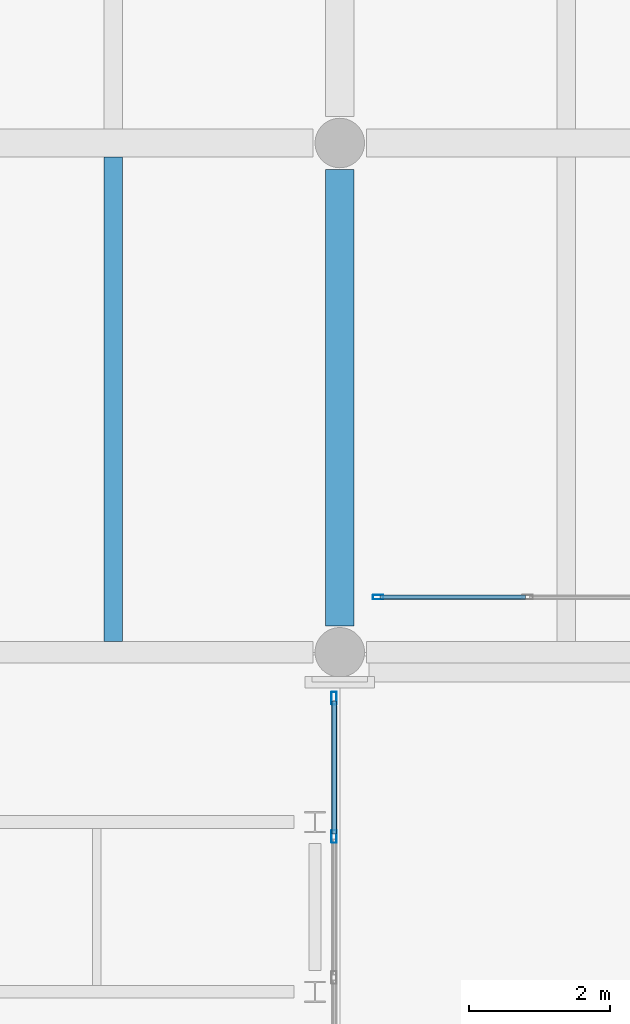
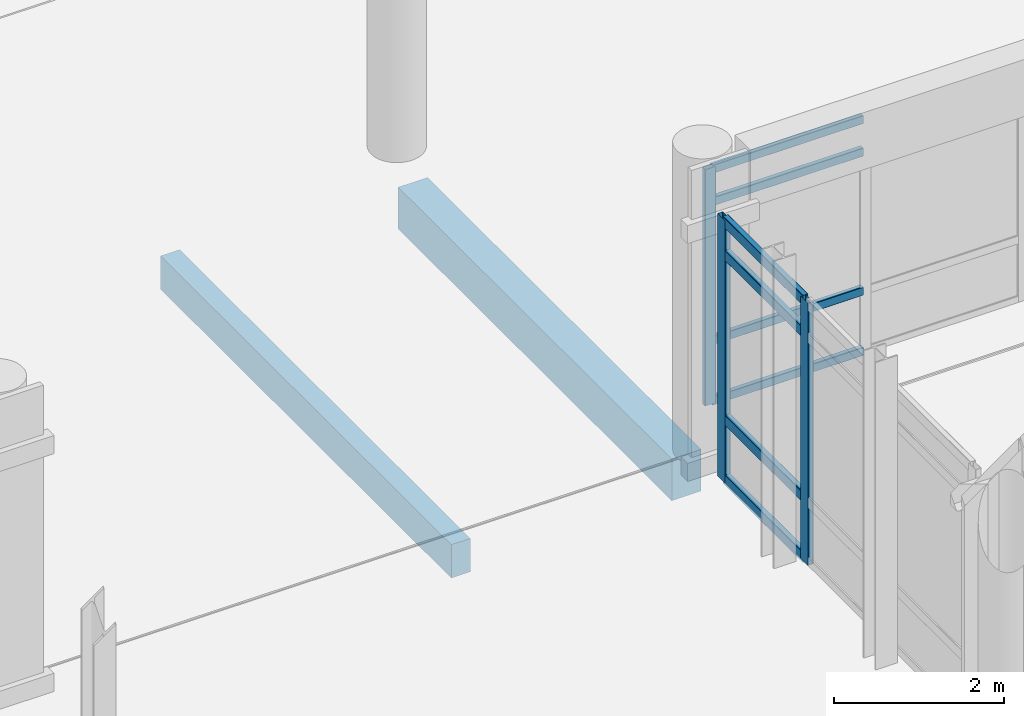
# One storey, part 50 of 196: 11 members, 2 beams, 2 elements without a shape of their own.
"""IFC4 building model written with IfcOpenShell, lengths in metres."""

from ifc_helpers import new_model, si_unit, direction, frame, origin, origin_2d, place, context, subcontext, project, spatial, rectangle, hollow_rectangle, extrude, material, layer, layer_set, material_profile, profile_set, type_object, element, aggregate, save


model = new_model("IFC4")

# Units and contexts
model_context = context("Model", 3, precision=1e-05, world=origin(), true_north=direction((0.0, 1.0)))
body_context = subcontext(model_context, "Body", "Model", "MODEL_VIEW")
ifc_project = project(units=[si_unit("LENGTHUNIT", "METRE"), si_unit("AREAUNIT", "SQUARE_METRE"), si_unit("VOLUMEUNIT", "CUBIC_METRE"), si_unit("PLANEANGLEUNIT", "RADIAN"), si_unit("MASSUNIT", "GRAM", prefix="KILO")], contexts=[model_context])

# Site, building, storey
site_placement = place(None, origin())
site = spatial("IfcSite", under=ifc_project, at=site_placement, CompositionType="ELEMENT")
building_placement = place(site_placement, origin())
building = spatial("IfcBuilding", under=site, at=building_placement, Name="Asteropetra Specialist Clinic", CompositionType="ELEMENT")
storey_placement = place(building_placement, origin())
storey = spatial("IfcBuildingStorey", under=building, at=storey_placement, Name="L00", CompositionType="ELEMENT", Elevation=0.0)

# Beam
ifc_material_1 = material(Name="Concrete C35/45", Category="concrete")
ifc_material_profile_1 = material_profile(ifc_material_1, rectangle(XDim=0.39990234375, YDim=0.60009765625, at=origin_2d()), Name="RCB 400x600")
ifc_profile_set_1 = profile_set([ifc_material_profile_1], Name="Concrete C35/45")
beam_type_1 = type_object("IfcBeamType", Name="BM-RC400x600", PredefinedType="BEAM", material=ifc_profile_set_1)
beam_1_placement = place(storey_placement, frame((28.800048828125, 33.97509765625, -0.60009765625), z_axis=(0.0, 1.0, 0.0), x_axis=(-1.0, 0.0, 0.0)))
element("IfcBeam", 1, at=beam_1_placement, inside=storey, type_object=beam_type_1, Name="Beam BBM08-0161", PredefinedType="BEAM", context=body_context, shape_type="SweptSolid", body=[
    extrude(rectangle(XDim=0.39990234375, YDim=0.60009765625, at=origin_2d()), origin(), (0.0, 0.0, 1.0), 6.449951171875),
])

# Curtain wall, member
ifc_material_2 = material(Name="Aluminium and low-E glass", Category="aluminium")
ifc_layer_1 = layer(ifc_material_2, 0.135009765625)
ifc_layer_set_1 = layer_set([ifc_layer_1], Name="Aluminium and low-E glass")
curtain_wall_type_1 = type_object("IfcCurtainWallType", Name="CW-SYS-09", PredefinedType="USERDEFINED", material=ifc_layer_set_1)
curtain_wall_1_placement = place(storey_placement, origin())
curtain_wall_1 = element("IfcCurtainWall", 2, at=curtain_wall_1_placement, inside=storey, type_object=curtain_wall_type_1, Name="Curtain Wall CW-148", ObjectType="STICK GLAZED COLONNADE", PredefinedType="USERDEFINED")
ifc_material_3 = material(Name="Aluminium 6063-T6", Category="aluminium")
ifc_material_profile_2 = material_profile(ifc_material_3, hollow_rectangle(XDim=0.06494140625, YDim=0.14990234375, WallThickness=0.00390625, InnerFilletRadius=0.00390625, OuterFilletRadius=0.008056640625, at=origin_2d()), Name="MUL 150x65x4.0")
ifc_profile_set_2 = profile_set([ifc_material_profile_2], Name="Aluminium 6063-T6")
member_type_1 = type_object("IfcMemberType", Name="CWM-150x65", PredefinedType="MULLION", material=ifc_profile_set_2)
member_1_placement = place(storey_placement, frame((29.342529296875, 34.3798828125, 0.0), z_axis=(0.0, 0.0, 1.0), x_axis=(0.0, 1.0, 0.0)))
member_1 = element("IfcMember", 3, at=member_1_placement, type_object=member_type_1, Name="CW-148 mullion 1", PredefinedType="MULLION", context=body_context, shape_type="SweptSolid", body=[
    extrude(hollow_rectangle(XDim=0.06494140625, YDim=0.14990234375, WallThickness=0.00390625, InnerFilletRadius=0.00390625, OuterFilletRadius=0.008056640625, at=origin_2d()), origin(), (0.0, 0.0, 1.0), 3.39990234375),
])

# Curtain wall, members
ifc_material_4 = material(Name="Aluminium and low-E glass", Category="aluminium")
ifc_layer_2 = layer(ifc_material_4, 0.14990234375)
ifc_layer_set_2 = layer_set([ifc_layer_2], Name="Aluminium and low-E glass")
curtain_wall_type_2 = type_object("IfcCurtainWallType", Name="CW-SYS-08", PredefinedType="USERDEFINED", material=ifc_layer_set_2)
curtain_wall_2_placement = place(storey_placement, origin())
curtain_wall_2 = element("IfcCurtainWall", 4, at=curtain_wall_2_placement, inside=storey, type_object=curtain_wall_type_2, Name="Curtain Wall CW-096", ObjectType="STICK GLAZED COLONNADE", PredefinedType="USERDEFINED")
ifc_material_5 = material(Name="Aluminium 6063-T6", Category="aluminium")
ifc_material_profile_3 = material_profile(ifc_material_5, hollow_rectangle(XDim=0.074951171875, YDim=0.179931640625, WallThickness=0.00390625, InnerFilletRadius=0.00390625, OuterFilletRadius=0.008056640625, at=origin_2d()), Name="MUL 180x75x4.0")
ifc_profile_set_3 = profile_set([ifc_material_profile_3], Name="Aluminium 6063-T6")
member_type_2 = type_object("IfcMemberType", Name="CWM-180x75", PredefinedType="MULLION", material=ifc_profile_set_3)
member_2_placement = place(storey_placement, frame((28.719970703125, 32.952392578125, 0.0), z_axis=(0.0, 0.0, 1.0), x_axis=(1.0, 0.0, 0.0)))
member_2 = element("IfcMember", 5, at=member_2_placement, type_object=member_type_2, Name="CW-096 mullion 1", PredefinedType="MULLION", context=body_context, shape_type="SweptSolid", body=[
    extrude(hollow_rectangle(XDim=0.074951171875, YDim=0.179931640625, WallThickness=0.00390625, InnerFilletRadius=0.00390625, OuterFilletRadius=0.008056640625, at=origin_2d()), origin(), (0.0, 0.0, 1.0), 3.77001953125),
])
member_3_placement = place(storey_placement, frame((28.719970703125, 30.99658203125, 0.0), z_axis=(0.0, 0.0, 1.0), x_axis=(1.0, 0.0, 0.0)))
member_3 = element("IfcMember", 6, at=member_3_placement, type_object=member_type_2, Name="CW-096 mullion 2", PredefinedType="MULLION", context=body_context, shape_type="SweptSolid", body=[
    extrude(hollow_rectangle(XDim=0.074951171875, YDim=0.179931640625, WallThickness=0.00390625, InnerFilletRadius=0.00390625, OuterFilletRadius=0.008056640625, at=origin_2d()), origin(), (0.0, 0.0, 1.0), 3.77001953125),
])

# Member
ifc_material_6 = material(Name="Aluminium 6063-T6", Category="aluminium")
ifc_material_profile_4 = material_profile(ifc_material_6, hollow_rectangle(XDim=0.06494140625, YDim=0.1201171875, WallThickness=0.00390625, InnerFilletRadius=0.00390625, OuterFilletRadius=0.008056640625, at=origin_2d()), Name="TRN 120x65x4.0")
ifc_profile_set_4 = profile_set([ifc_material_profile_4], Name="Aluminium 6063-T6")
member_type_3 = type_object("IfcMemberType", Name="CWT-120x65", PredefinedType="USERDEFINED", material=ifc_profile_set_4)
member_4_placement = place(storey_placement, frame((29.375, 34.3798828125, 0.032470703125), z_axis=(1.0, 0.0, 0.0), x_axis=(0.0, 1.0, 0.0)))
member_4 = element("IfcMember", 7, at=member_4_placement, type_object=member_type_3, Name="CW-148 transom 1.1", ObjectType="TRANSOM", PredefinedType="USERDEFINED", context=body_context, shape_type="SweptSolid", body=[
    extrude(hollow_rectangle(XDim=0.06494140625, YDim=0.1201171875, WallThickness=0.00390625, InnerFilletRadius=0.00390625, OuterFilletRadius=0.008056640625, at=origin_2d()), origin(), (0.0, 0.0, 1.0), 2.047607421875),
])

member_5_placement = place(storey_placement, frame((29.375, 34.3798828125, 0.89990234375), z_axis=(1.0, 0.0, 0.0), x_axis=(0.0, 1.0, 0.0)))
member_5 = element("IfcMember", 8, at=member_5_placement, type_object=member_type_3, Name="CW-148 transom 1.2", ObjectType="TRANSOM", PredefinedType="USERDEFINED", context=body_context, shape_type="SweptSolid", body=[
    extrude(hollow_rectangle(XDim=0.06494140625, YDim=0.1201171875, WallThickness=0.00390625, InnerFilletRadius=0.00390625, OuterFilletRadius=0.008056640625, at=origin_2d()), origin(), (0.0, 0.0, 1.0), 2.047607421875),
])

member_6_placement = place(storey_placement, frame((29.375, 34.3798828125, 2.89990234375), z_axis=(1.0, 0.0, 0.0), x_axis=(0.0, 1.0, 0.0)))
member_6 = element("IfcMember", 9, at=member_6_placement, type_object=member_type_3, Name="CW-148 transom 1.3", ObjectType="TRANSOM", PredefinedType="USERDEFINED", context=body_context, shape_type="SweptSolid", body=[
    extrude(hollow_rectangle(XDim=0.06494140625, YDim=0.1201171875, WallThickness=0.00390625, InnerFilletRadius=0.00390625, OuterFilletRadius=0.008056640625, at=origin_2d()), origin(), (0.0, 0.0, 1.0), 2.047607421875),
])

member_7_placement = place(storey_placement, frame((29.375, 34.3798828125, 3.367431640625), z_axis=(1.0, 0.0, 0.0), x_axis=(0.0, 1.0, 0.0)))
member_7 = element("IfcMember", 10, at=member_7_placement, type_object=member_type_3, Name="CW-148 transom 1.4", ObjectType="TRANSOM", PredefinedType="USERDEFINED", context=body_context, shape_type="SweptSolid", body=[
    extrude(hollow_rectangle(XDim=0.06494140625, YDim=0.1201171875, WallThickness=0.00390625, InnerFilletRadius=0.00390625, OuterFilletRadius=0.008056640625, at=origin_2d()), origin(), (0.0, 0.0, 1.0), 2.047607421875),
])

aggregate(curtain_wall_1, [member_1, member_4, member_5, member_6, member_7])

ifc_material_7 = material(Name="Aluminium 6063-T6", Category="aluminium")
ifc_material_profile_5 = material_profile(ifc_material_7, hollow_rectangle(XDim=0.074951171875, YDim=0.14990234375, WallThickness=0.00390625, InnerFilletRadius=0.00390625, OuterFilletRadius=0.008056640625, at=origin_2d()), Name="TRN 150x75x4.0")
ifc_profile_set_5 = profile_set([ifc_material_profile_5], Name="Aluminium 6063-T6")
member_type_4 = type_object("IfcMemberType", Name="CWT-150x75", PredefinedType="USERDEFINED", material=ifc_profile_set_5)
member_8_placement = place(storey_placement, frame((28.719970703125, 32.9150390625, 0.03759765625), z_axis=(0.0, -1.0, 0.0), x_axis=(1.0, 0.0, 0.0)))
member_8 = element("IfcMember", 11, at=member_8_placement, type_object=member_type_4, Name="CW-096 transom 1.1", ObjectType="TRANSOM", PredefinedType="USERDEFINED", context=body_context, shape_type="SweptSolid", body=[
    extrude(hollow_rectangle(XDim=0.074951171875, YDim=0.14990234375, WallThickness=0.00390625, InnerFilletRadius=0.00390625, OuterFilletRadius=0.008056640625, at=origin_2d()), origin(), (0.0, 0.0, 1.0), 1.880859375),
])

member_9_placement = place(storey_placement, frame((28.719970703125, 32.9150390625, 0.89990234375), z_axis=(0.0, -1.0, 0.0), x_axis=(1.0, 0.0, 0.0)))
member_9 = element("IfcMember", 12, at=member_9_placement, type_object=member_type_4, Name="CW-096 transom 1.2", ObjectType="TRANSOM", PredefinedType="USERDEFINED", context=body_context, shape_type="SweptSolid", body=[
    extrude(hollow_rectangle(XDim=0.074951171875, YDim=0.14990234375, WallThickness=0.00390625, InnerFilletRadius=0.00390625, OuterFilletRadius=0.008056640625, at=origin_2d()), origin(), (0.0, 0.0, 1.0), 1.880859375),
])

member_10_placement = place(storey_placement, frame((28.719970703125, 32.9150390625, 3.27001953125), z_axis=(0.0, -1.0, 0.0), x_axis=(1.0, 0.0, 0.0)))
member_10 = element("IfcMember", 13, at=member_10_placement, type_object=member_type_4, Name="CW-096 transom 1.3", ObjectType="TRANSOM", PredefinedType="USERDEFINED", context=body_context, shape_type="SweptSolid", body=[
    extrude(hollow_rectangle(XDim=0.074951171875, YDim=0.14990234375, WallThickness=0.00390625, InnerFilletRadius=0.00390625, OuterFilletRadius=0.008056640625, at=origin_2d()), origin(), (0.0, 0.0, 1.0), 1.880859375),
])

member_11_placement = place(storey_placement, frame((28.719970703125, 32.9150390625, 3.732421875), z_axis=(0.0, -1.0, 0.0), x_axis=(1.0, 0.0, 0.0)))
member_11 = element("IfcMember", 14, at=member_11_placement, type_object=member_type_4, Name="CW-096 transom 1.4", ObjectType="TRANSOM", PredefinedType="USERDEFINED", context=body_context, shape_type="SweptSolid", body=[
    extrude(hollow_rectangle(XDim=0.074951171875, YDim=0.14990234375, WallThickness=0.00390625, InnerFilletRadius=0.00390625, OuterFilletRadius=0.008056640625, at=origin_2d()), origin(), (0.0, 0.0, 1.0), 1.880859375),
])

aggregate(curtain_wall_2, [member_2, member_3, member_8, member_9, member_10, member_11])

# Beam
ifc_material_8 = material(Name="Concrete C35/45", Category="concrete")
ifc_material_profile_6 = material_profile(ifc_material_8, rectangle(XDim=0.260009765625, YDim=0.47998046875, at=origin_2d()), Name="RCJ 260x480")
ifc_profile_set_6 = profile_set([ifc_material_profile_6], Name="Concrete C35/45")
beam_type_2 = type_object("IfcBeamType", Name="JST-RC260x480", PredefinedType="JOIST", material=ifc_profile_set_6)
beam_2_placement = place(storey_placement, frame((25.60009765625, 33.75, -0.5400390625), z_axis=(0.0, 1.0, 0.0), x_axis=(-1.0, 0.0, 0.0)))
element("IfcBeam", 15, at=beam_2_placement, inside=storey, type_object=beam_type_2, Name="Joist JJST02-0167", PredefinedType="JOIST", context=body_context, shape_type="SweptSolid", body=[
    extrude(rectangle(XDim=0.260009765625, YDim=0.47998046875, at=origin_2d()), origin(), (0.0, 0.0, 1.0), 6.85009765625),
])

save(model, "model.ifc")
